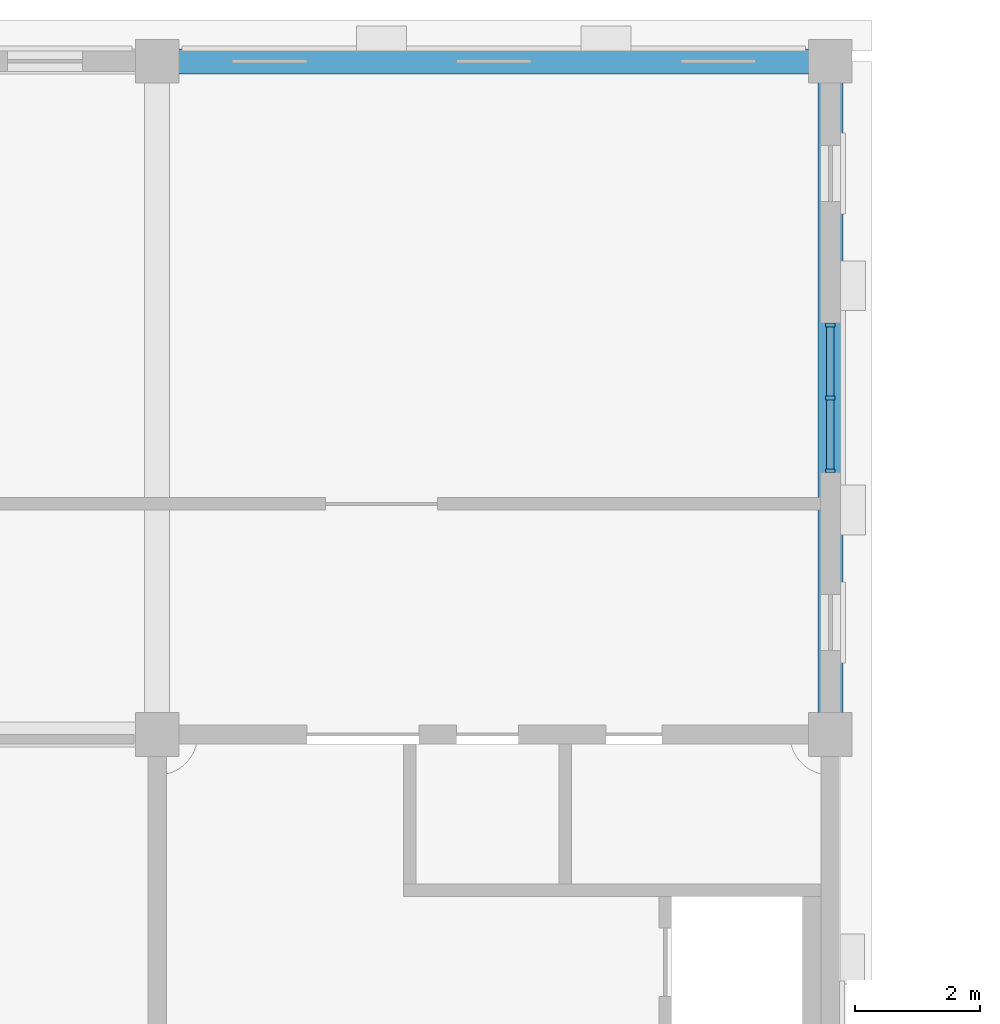
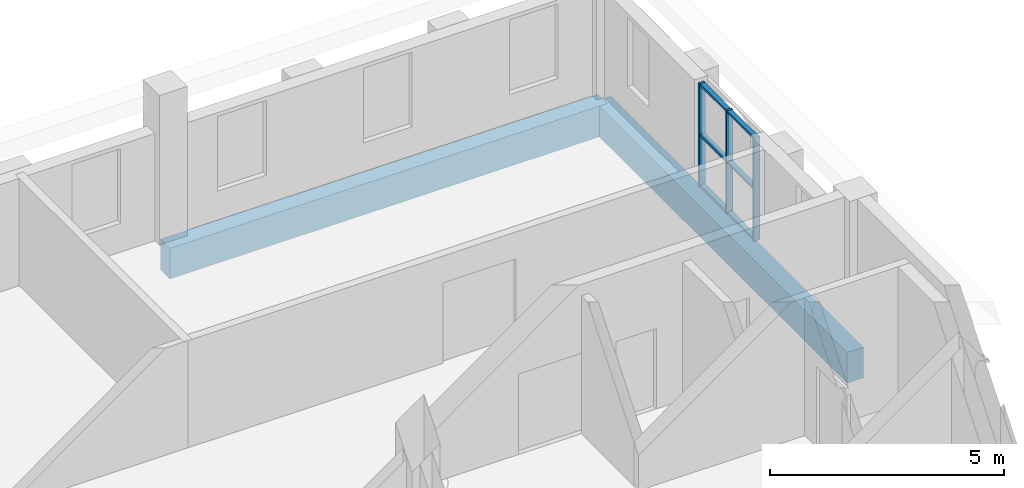
# One storey, part 10 of 32: 9 members, 2 beams, 1 element without a shape of its own.
"""IFC4 building model written with IfcOpenShell, lengths in metres."""

from ifc_helpers import new_model, si_unit, direction, frame, origin, origin_2d, place, context, subcontext, project, spatial, rectangle, extrude, material, layer, layer_set, material_profile, profile_set, type_object, element, aggregate, save


model = new_model("IFC4")

# Units and contexts
model_context = context("Model", 3, precision=1e-05, world=origin(), true_north=direction((0.0, 1.0)))
body_context = subcontext(model_context, "Body", "Model", "MODEL_VIEW")
ifc_project = project(units=[si_unit("LENGTHUNIT", "METRE"), si_unit("AREAUNIT", "SQUARE_METRE"), si_unit("VOLUMEUNIT", "CUBIC_METRE"), si_unit("PLANEANGLEUNIT", "RADIAN"), si_unit("MASSUNIT", "GRAM", prefix="KILO")], contexts=[model_context])

# Site, building, storey
site_placement = place(None, origin())
site = spatial("IfcSite", under=ifc_project, at=site_placement, CompositionType="ELEMENT")
building_placement = place(site_placement, origin())
building = spatial("IfcBuilding", under=site, at=building_placement, Name="Magnolia Steps Interchange", CompositionType="ELEMENT")
storey_placement = place(building_placement, frame((0.0, 0.0, 16.5)))
storey = spatial("IfcBuildingStorey", under=building, at=storey_placement, Name="L04", CompositionType="ELEMENT", Elevation=16.5)

# Curtain wall, members
ifc_material_1 = material(Name="Powder-coated aluminium and glass", Category="aluminium")
ifc_layer = layer(ifc_material_1, 0.199951171875)
ifc_layer_set = layer_set([ifc_layer], Name="Glazed central bay curtain wall")
curtain_wall_type = type_object("IfcCurtainWallType", Name="Glazed central bay curtain wall", PredefinedType="NOTDEFINED", material=ifc_layer_set)
curtain_wall_placement = place(storey_placement, origin())
curtain_wall = element("IfcCurtainWall", 1, at=curtain_wall_placement, inside=storey, type_object=curtain_wall_type, Name="Operations building east wall L04 glazing 2", PredefinedType="NOTDEFINED")
ifc_material_2 = material(Name="White powder-coated aluminium", Category="aluminium")
ifc_material_profile_1 = material_profile(ifc_material_2, rectangle(XDim=0.06005859375, YDim=0.14990234375, at=origin_2d()), Name="Aluminium mullion 60 x 150")
ifc_profile_set_1 = profile_set([ifc_material_profile_1], Name="White powder-coated aluminium")
member_type_1 = type_object("IfcMemberType", Name="Aluminium mullion 60 x 150", PredefinedType="MULLION", material=ifc_profile_set_1)
member_1_placement = place(storey_placement, frame((118.0, 111.429931640625, 0.0), z_axis=(0.0, 0.0, 1.0), x_axis=(0.0, 1.0, 0.0)))
member_1 = element("IfcMember", 2, at=member_1_placement, type_object=member_type_1, Name="CW2 mullion 1", PredefinedType="MULLION", context=body_context, shape_type="SweptSolid", body=[
    extrude(rectangle(XDim=0.06005859375, YDim=0.14990234375, at=origin_2d()), origin(), (0.0, 0.0, 1.0), 2.699951171875),
])
member_2_placement = place(storey_placement, frame((118.0, 112.60009765625, 0.0), z_axis=(0.0, 0.0, 1.0), x_axis=(0.0, 1.0, 0.0)))
member_2 = element("IfcMember", 3, at=member_2_placement, type_object=member_type_1, Name="CW2 mullion 2", PredefinedType="MULLION", context=body_context, shape_type="SweptSolid", body=[
    extrude(rectangle(XDim=0.06005859375, YDim=0.14990234375, at=origin_2d()), origin(), (0.0, 0.0, 1.0), 2.699951171875),
])
member_3_placement = place(storey_placement, frame((118.0, 113.77001953125, 0.0), z_axis=(0.0, 0.0, 1.0), x_axis=(0.0, 1.0, 0.0)))
member_3 = element("IfcMember", 4, at=member_3_placement, type_object=member_type_1, Name="CW2 mullion 3", PredefinedType="MULLION", context=body_context, shape_type="SweptSolid", body=[
    extrude(rectangle(XDim=0.06005859375, YDim=0.14990234375, at=origin_2d()), origin(), (0.0, 0.0, 1.0), 2.699951171875),
])
ifc_material_3 = material(Name="White powder-coated aluminium", Category="aluminium")
ifc_material_profile_2 = material_profile(ifc_material_3, rectangle(XDim=0.06005859375, YDim=0.1201171875, at=origin_2d()), Name="Aluminium transom 60 x 120")
ifc_profile_set_2 = profile_set([ifc_material_profile_2], Name="White powder-coated aluminium")
member_type_2 = type_object("IfcMemberType", Name="Aluminium transom 60 x 120", PredefinedType="USERDEFINED", material=ifc_profile_set_2)
member_4_placement = place(storey_placement, frame((118.0, 111.4599609375, 0.030029296875), z_axis=(0.0, 1.0, 0.0), x_axis=(0.0, 0.0, 1.0)))
member_4 = element("IfcMember", 5, at=member_4_placement, type_object=member_type_2, Name="CW2 transom 1.1", ObjectType="TRANSOM", PredefinedType="USERDEFINED", context=body_context, shape_type="SweptSolid", body=[
    extrude(rectangle(XDim=0.06005859375, YDim=0.1201171875, at=origin_2d()), origin(), (0.0, 0.0, 1.0), 1.110107421875),
])
member_5_placement = place(storey_placement, frame((118.0, 111.4599609375, 1.35009765625), z_axis=(0.0, 1.0, 0.0), x_axis=(0.0, 0.0, 1.0)))
member_5 = element("IfcMember", 6, at=member_5_placement, type_object=member_type_2, Name="CW2 transom 1.2", ObjectType="TRANSOM", PredefinedType="USERDEFINED", context=body_context, shape_type="SweptSolid", body=[
    extrude(rectangle(XDim=0.06005859375, YDim=0.1201171875, at=origin_2d()), origin(), (0.0, 0.0, 1.0), 1.110107421875),
])
member_6_placement = place(storey_placement, frame((118.0, 111.4599609375, 2.669921875), z_axis=(0.0, 1.0, 0.0), x_axis=(0.0, 0.0, 1.0)))
member_6 = element("IfcMember", 7, at=member_6_placement, type_object=member_type_2, Name="CW2 transom 1.3", ObjectType="TRANSOM", PredefinedType="USERDEFINED", context=body_context, shape_type="SweptSolid", body=[
    extrude(rectangle(XDim=0.06005859375, YDim=0.1201171875, at=origin_2d()), origin(), (0.0, 0.0, 1.0), 1.110107421875),
])
member_7_placement = place(storey_placement, frame((118.0, 112.6298828125, 0.030029296875), z_axis=(0.0, 1.0, 0.0), x_axis=(0.0, 0.0, 1.0)))
member_7 = element("IfcMember", 8, at=member_7_placement, type_object=member_type_2, Name="CW2 transom 2.1", ObjectType="TRANSOM", PredefinedType="USERDEFINED", context=body_context, shape_type="SweptSolid", body=[
    extrude(rectangle(XDim=0.06005859375, YDim=0.1201171875, at=origin_2d()), origin(), (0.0, 0.0, 1.0), 1.110107421875),
])
member_8_placement = place(storey_placement, frame((118.0, 112.6298828125, 1.35009765625), z_axis=(0.0, 1.0, 0.0), x_axis=(0.0, 0.0, 1.0)))
member_8 = element("IfcMember", 9, at=member_8_placement, type_object=member_type_2, Name="CW2 transom 2.2", ObjectType="TRANSOM", PredefinedType="USERDEFINED", context=body_context, shape_type="SweptSolid", body=[
    extrude(rectangle(XDim=0.06005859375, YDim=0.1201171875, at=origin_2d()), origin(), (0.0, 0.0, 1.0), 1.110107421875),
])
member_9_placement = place(storey_placement, frame((118.0, 112.6298828125, 2.669921875), z_axis=(0.0, 1.0, 0.0), x_axis=(0.0, 0.0, 1.0)))
member_9 = element("IfcMember", 10, at=member_9_placement, type_object=member_type_2, Name="CW2 transom 2.3", ObjectType="TRANSOM", PredefinedType="USERDEFINED", context=body_context, shape_type="SweptSolid", body=[
    extrude(rectangle(XDim=0.06005859375, YDim=0.1201171875, at=origin_2d()), origin(), (0.0, 0.0, 1.0), 1.110107421875),
])
aggregate(curtain_wall, [member_1, member_2, member_3, member_4, member_5, member_6, member_7, member_8, member_9])

# Beams
ifc_material_4 = material(Name="Concrete C40", Category="concrete")
ifc_material_profile_3 = material_profile(ifc_material_4, rectangle(XDim=0.39990234375, YDim=0.800048828125, at=origin_2d()), Name="RC400x800")
ifc_profile_set_3 = profile_set([ifc_material_profile_3], Name="Concrete C40")
beam_type = type_object("IfcBeamType", Name="RC beam 400x800", PredefinedType="BEAM", material=ifc_profile_set_3)
for number, where, z_axis, x_axis, name in (
    (11, (107.199951171875, 118.0, -0.699951171875), (1.0, 0.0, 0.0), (0.0, 1.0, 0.0), "Beam L04 K 10-11"),
    (12, (118.0, 107.199951171875, -0.699951171875), (0.0, 1.0, 0.0), (-1.0, 0.0, 0.0), "Beam L04 11 J-K"),
):
    element("IfcBeam", number, at=place(storey_placement, frame(where, z_axis=z_axis, x_axis=x_axis)), inside=storey, type_object=beam_type, Name=name, PredefinedType="BEAM", context=body_context, shape_type="SweptSolid", body=[
        extrude(rectangle(XDim=0.39990234375, YDim=0.800048828125, at=origin_2d()), origin(), (0.0, 0.0, 1.0), 10.800048828125),
    ])

save(model, "model.ifc")
